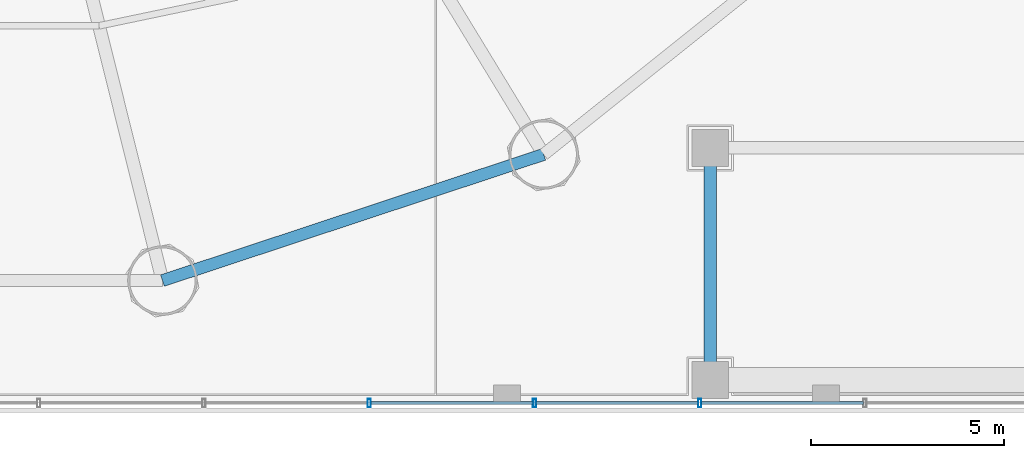
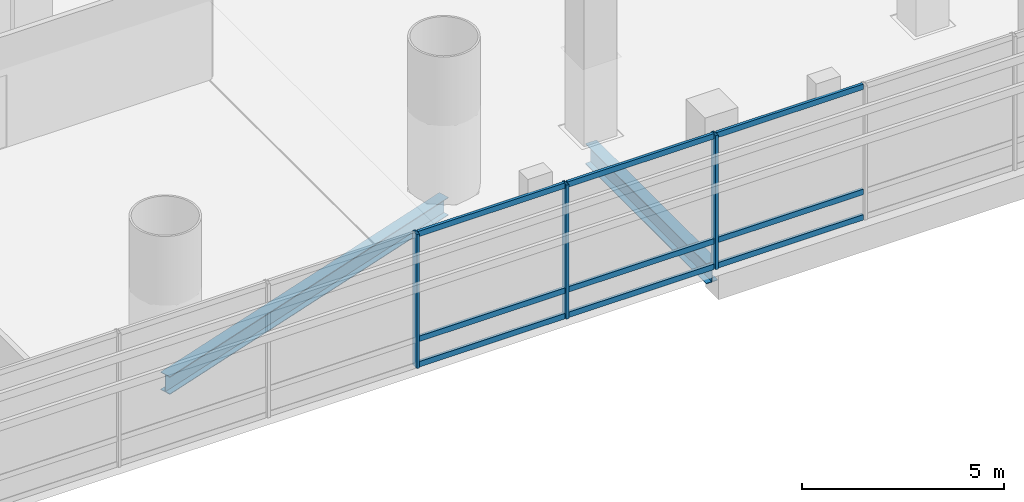
# One storey, part 8 of 36: 12 members, 2 beams, 1 element without a shape of its own.
"""IFC4 building model written with IfcOpenShell, lengths in metres."""

from ifc_helpers import new_model, si_unit, direction, frame, origin, origin_2d, place, context, subcontext, project, spatial, hollow_rectangle, i_section, extrude, source, transform, mapped, material, material_profile, profile_set, type_object, element, aggregate, save


model = new_model("IFC4")

# Units and contexts
model_context = context("Model", 3, precision=1e-05, world=origin(), true_north=direction((-0.2419218956, 0.970295726276)))
body_context = subcontext(model_context, "Body", "Model", "MODEL_VIEW")
ifc_project = project(units=[si_unit("LENGTHUNIT", "METRE"), si_unit("AREAUNIT", "SQUARE_METRE"), si_unit("VOLUMEUNIT", "CUBIC_METRE"), si_unit("PLANEANGLEUNIT", "RADIAN"), si_unit("MASSUNIT", "GRAM", prefix="KILO")], contexts=[model_context])

# Site, building, storey
site_placement = place(None, origin())
site = spatial("IfcSite", under=ifc_project, at=site_placement, CompositionType="ELEMENT")
building_placement = place(site_placement, origin())
building = spatial("IfcBuilding", under=site, at=building_placement, Name="Cobrevalo Terracotta Tower", CompositionType="ELEMENT")
storey_placement = place(building_placement, frame((0.0, 0.0, 14.39990234375)))
storey = spatial("IfcBuildingStorey", under=building, at=storey_placement, Name="L03", CompositionType="ELEMENT", Elevation=14.39990234375)

# Beams
ifc_material_1 = material(Name="Steel S355", Category="steel")
ifc_material_profile_1 = material_profile(ifc_material_1, i_section(OverallWidth=0.324951171875, OverallDepth=0.615966796875, WebThickness=0.013916015625, FlangeThickness=0.021484375, at=origin_2d()), Name="W 610x174")
ifc_profile_set_1 = profile_set([ifc_material_profile_1], Name="Steel S355")
beam_type_1 = type_object("IfcBeamType", Name="Structural Beam W 610x174 (Steel S355)", PredefinedType="BEAM", material=ifc_profile_set_1)
beam_1_placement = place(storey_placement, frame((57.5, 2.800048828125, -0.60791015625), z_axis=(0.0, 1.0, 0.0), x_axis=(-1.0, 0.0, 0.0)))
element("IfcBeam", 1, at=beam_1_placement, inside=storey, type_object=beam_type_1, Name="L03 podium grid beam G7-GA to G7-GB", PredefinedType="BEAM", context=body_context, shape_type="SweptSolid", body=[
    extrude(i_section(OverallWidth=0.324951171875, OverallDepth=0.615966796875, WebThickness=0.013916015625, FlangeThickness=0.021484375, at=origin_2d()), origin(), (0.0, 0.0, 1.0), 6.0),
])
ifc_material_profile_2 = material_profile(ifc_material_1, i_section(OverallWidth=0.31201171875, OverallDepth=0.54296875, WebThickness=0.0126953125, FlangeThickness=0.020263671875, at=origin_2d()), Name="W 530x150")
ifc_profile_set_2 = profile_set([ifc_material_profile_2], Name="Steel S355")
beam_type_2 = type_object("IfcBeamType", Name="Structural Spandrel W 530x150 (Steel S355)", PredefinedType="SPANDREL", material=ifc_profile_set_2)
beam_2_placement = place(storey_placement, frame((43.335693359375, 5.369873046875, -0.5712890625), z_axis=(0.949372202648, 0.314153498848, 0.0), x_axis=(-0.314153498848, 0.949372202648, 0.0)))
element("IfcBeam", 2, at=beam_2_placement, inside=storey, type_object=beam_type_2, Name="L03 perimeter ring spandrel 13", PredefinedType="SPANDREL", context=body_context, shape_type="SweptSolid", body=[
    extrude(i_section(OverallWidth=0.31201171875, OverallDepth=0.54296875, WebThickness=0.0126953125, FlangeThickness=0.020263671875, at=origin_2d()), origin(), (0.0, 0.0, 1.0), 10.385009765625),
])

# Curtain wall, members
ifc_material_2 = material(Name="Anodized aluminium", Category="aluminium")
curtain_wall_type = type_object("IfcCurtainWallType", Name="Podium gallery & conservatory curtain wall CW-S2", PredefinedType="NOTDEFINED", material=ifc_material_2)
curtain_wall_placement = place(storey_placement, origin())
curtain_wall = element("IfcCurtainWall", 3, at=curtain_wall_placement, inside=storey, type_object=curtain_wall_type, Name="L03 curtain wall CW-POD-L03-S", PredefinedType="NOTDEFINED")
ifc_material_profile_3 = material_profile(ifc_material_2, hollow_rectangle(XDim=0.080078125, YDim=0.1650390625, WallThickness=0.00439453125, at=origin_2d()), Name="CWT 80x165")
ifc_profile_set_3 = profile_set([ifc_material_profile_3], Name="Anodized aluminium")
member_type_1 = type_object("IfcMemberType", Name="Storefront & atrium aluminium transom 80x165", PredefinedType="USERDEFINED", material=ifc_profile_set_3)
shared_shape_1 = source(origin(), body_context, "Body", "SweptSolid", [
    extrude(hollow_rectangle(XDim=0.080078125, YDim=0.1650390625, WallThickness=0.00439453125, at=origin_2d()), origin(), (0.0, 0.0, 1.0), 4.193359375),
])
member_1_placement = place(storey_placement, frame((48.723388671875, 2.199951171875, 0.050048828125), z_axis=(1.0, 0.0, 0.0), x_axis=(0.0, 1.0, 0.0)))
member_1 = element("IfcMember", 4, at=member_1_placement, type_object=member_type_1, Name="CW-POD-L03-S transom B11-T1", ObjectType="TRANSOM", PredefinedType="USERDEFINED", context=body_context, shape_type="MappedRepresentation", body=[
    mapped(shared_shape_1, transform((0.0, 0.0, 0.0), scale=1.0)),
])
member_2_placement = place(storey_placement, frame((48.723388671875, 2.199951171875, 0.820068359375), z_axis=(1.0, 0.0, 0.0), x_axis=(0.0, 1.0, 0.0)))
member_2 = element("IfcMember", 5, at=member_2_placement, type_object=member_type_1, Name="CW-POD-L03-S transom B11-T2", ObjectType="TRANSOM", PredefinedType="USERDEFINED", context=body_context, shape_type="MappedRepresentation", body=[
    mapped(shared_shape_1, transform((0.0, 0.0, 0.0), scale=1.0)),
])
member_3_placement = place(storey_placement, frame((48.723388671875, 2.199951171875, 4.0), z_axis=(1.0, 0.0, 0.0), x_axis=(0.0, 1.0, 0.0)))
member_3 = element("IfcMember", 6, at=member_3_placement, type_object=member_type_1, Name="CW-POD-L03-S transom B11-T3", ObjectType="TRANSOM", PredefinedType="USERDEFINED", context=body_context, shape_type="MappedRepresentation", body=[
    mapped(shared_shape_1, transform((0.0, 0.0, 0.0), scale=1.0)),
])
member_4_placement = place(storey_placement, frame((52.99658203125, 2.199951171875, 0.050048828125), z_axis=(1.0, 0.0, 0.0), x_axis=(0.0, 1.0, 0.0)))
member_4 = element("IfcMember", 7, at=member_4_placement, type_object=member_type_1, Name="CW-POD-L03-S transom B12-T1", ObjectType="TRANSOM", PredefinedType="USERDEFINED", context=body_context, shape_type="MappedRepresentation", body=[
    mapped(shared_shape_1, transform((0.0, 0.0, 0.0), scale=1.0)),
])
member_5_placement = place(storey_placement, frame((52.99658203125, 2.199951171875, 0.820068359375), z_axis=(1.0, 0.0, 0.0), x_axis=(0.0, 1.0, 0.0)))
member_5 = element("IfcMember", 8, at=member_5_placement, type_object=member_type_1, Name="CW-POD-L03-S transom B12-T2", ObjectType="TRANSOM", PredefinedType="USERDEFINED", context=body_context, shape_type="MappedRepresentation", body=[
    mapped(shared_shape_1, transform((0.0, 0.0, 0.0), scale=1.0)),
])
member_6_placement = place(storey_placement, frame((52.99658203125, 2.199951171875, 4.0), z_axis=(1.0, 0.0, 0.0), x_axis=(0.0, 1.0, 0.0)))
member_6 = element("IfcMember", 9, at=member_6_placement, type_object=member_type_1, Name="CW-POD-L03-S transom B12-T3", ObjectType="TRANSOM", PredefinedType="USERDEFINED", context=body_context, shape_type="MappedRepresentation", body=[
    mapped(shared_shape_1, transform((0.0, 0.0, 0.0), scale=1.0)),
])
member_7_placement = place(storey_placement, frame((57.27001953125, 2.199951171875, 0.050048828125), z_axis=(1.0, 0.0, 0.0), x_axis=(0.0, 1.0, 0.0)))
member_7 = element("IfcMember", 10, at=member_7_placement, type_object=member_type_1, Name="CW-POD-L03-S transom B13-T1", ObjectType="TRANSOM", PredefinedType="USERDEFINED", context=body_context, shape_type="MappedRepresentation", body=[
    mapped(shared_shape_1, transform((0.0, 0.0, 0.0), scale=1.0)),
])
member_8_placement = place(storey_placement, frame((57.27001953125, 2.199951171875, 0.820068359375), z_axis=(1.0, 0.0, 0.0), x_axis=(0.0, 1.0, 0.0)))
member_8 = element("IfcMember", 11, at=member_8_placement, type_object=member_type_1, Name="CW-POD-L03-S transom B13-T2", ObjectType="TRANSOM", PredefinedType="USERDEFINED", context=body_context, shape_type="MappedRepresentation", body=[
    mapped(shared_shape_1, transform((0.0, 0.0, 0.0), scale=1.0)),
])
member_9_placement = place(storey_placement, frame((57.27001953125, 2.199951171875, 4.0), z_axis=(1.0, 0.0, 0.0), x_axis=(0.0, 1.0, 0.0)))
member_9 = element("IfcMember", 12, at=member_9_placement, type_object=member_type_1, Name="CW-POD-L03-S transom B13-T3", ObjectType="TRANSOM", PredefinedType="USERDEFINED", context=body_context, shape_type="MappedRepresentation", body=[
    mapped(shared_shape_1, transform((0.0, 0.0, 0.0), scale=1.0)),
])
ifc_material_profile_4 = material_profile(ifc_material_2, hollow_rectangle(XDim=0.080078125, YDim=0.219970703125, WallThickness=0.0048828125, at=origin_2d()), Name="CWM 80x220")
ifc_profile_set_4 = profile_set([ifc_material_profile_4], Name="Anodized aluminium")
member_type_2 = type_object("IfcMemberType", Name="Storefront & atrium aluminium mullion 80x220", PredefinedType="MULLION", material=ifc_profile_set_4)
shared_shape_2 = source(origin(), body_context, "Body", "SweptSolid", [
    extrude(hollow_rectangle(XDim=0.080078125, YDim=0.219970703125, WallThickness=0.0048828125, at=origin_2d()), origin(), (0.0, 0.0, 1.0), 4.050048828125),
])
member_10_placement = place(storey_placement, frame((48.683349609375, 2.199951171875, 0.0), z_axis=(0.0, 0.0, 1.0), x_axis=(1.0, 0.0, 0.0)))
member_10 = element("IfcMember", 13, at=member_10_placement, type_object=member_type_2, Name="CW-POD-L03-S vertical mullion 11", PredefinedType="MULLION", context=body_context, shape_type="MappedRepresentation", body=[
    mapped(shared_shape_2, transform((0.0, 0.0, 0.0), scale=1.0)),
])
member_11_placement = place(storey_placement, frame((52.956787109375, 2.199951171875, 0.0), z_axis=(0.0, 0.0, 1.0), x_axis=(1.0, 0.0, 0.0)))
member_11 = element("IfcMember", 14, at=member_11_placement, type_object=member_type_2, Name="CW-POD-L03-S vertical mullion 12", PredefinedType="MULLION", context=body_context, shape_type="MappedRepresentation", body=[
    mapped(shared_shape_2, transform((0.0, 0.0, 0.0), scale=1.0)),
])
member_12_placement = place(storey_placement, frame((57.22998046875, 2.199951171875, 0.0), z_axis=(0.0, 0.0, 1.0), x_axis=(1.0, 0.0, 0.0)))
member_12 = element("IfcMember", 15, at=member_12_placement, type_object=member_type_2, Name="CW-POD-L03-S vertical mullion 13", PredefinedType="MULLION", context=body_context, shape_type="MappedRepresentation", body=[
    mapped(shared_shape_2, transform((0.0, 0.0, 0.0), scale=1.0)),
])
aggregate(curtain_wall, [member_10, member_11, member_12, member_1, member_2, member_3, member_4, member_5, member_6, member_7, member_8, member_9])

save(model, "model.ifc")
